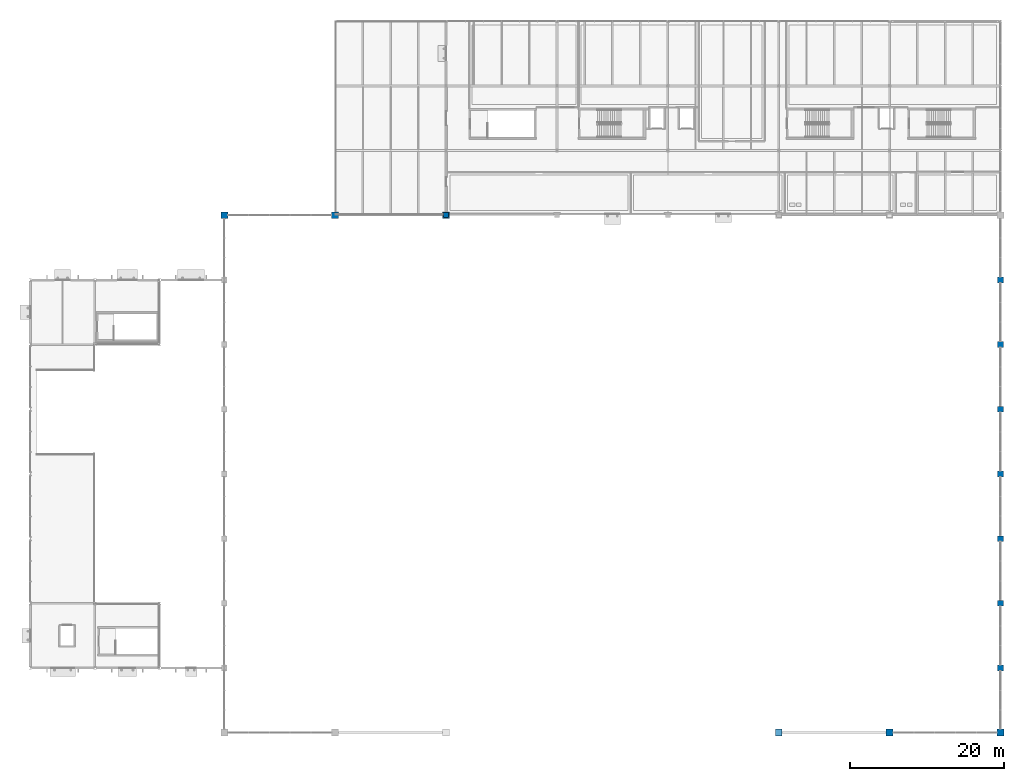
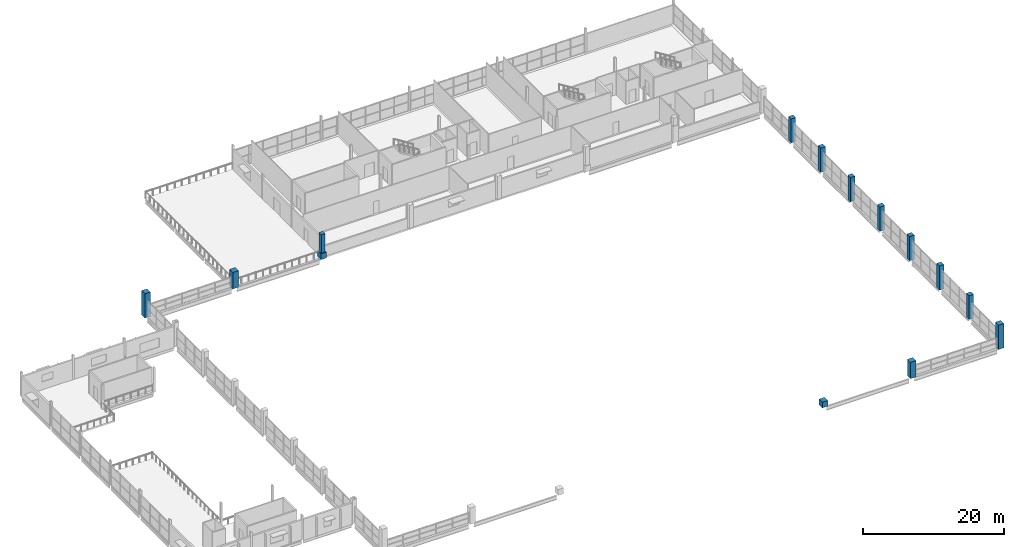
# One storey, part 4 of 68: 14 columns.
"""IFC4 building model written with IfcOpenShell, lengths in metres."""

from ifc_helpers import new_model, si_unit, direction, frame, origin, origin_2d, place, context, subcontext, project, spatial, rectangle, extrude, material, material_profile, profile_set, type_object, element, save


model = new_model("IFC4")

# Units and contexts
model_context = context("Model", 3, precision=1e-05, world=origin(), true_north=direction((0.0, 1.0)))
body_context = subcontext(model_context, "Body", "Model", "MODEL_VIEW")
ifc_project = project(units=[si_unit("LENGTHUNIT", "METRE"), si_unit("AREAUNIT", "SQUARE_METRE"), si_unit("VOLUMEUNIT", "CUBIC_METRE"), si_unit("PLANEANGLEUNIT", "RADIAN"), si_unit("MASSUNIT", "GRAM", prefix="KILO"), si_unit("THERMODYNAMICTEMPERATUREUNIT", "KELVIN")], contexts=[model_context])

# Site, building, storey
site_placement = place(None, origin())
site = spatial("IfcSite", under=ifc_project, at=site_placement, CompositionType="ELEMENT")
building_placement = place(site_placement, origin())
building = spatial("IfcBuilding", under=site, at=building_placement, Name="Nduvali Passage Aquatics Centre", CompositionType="ELEMENT")
storey_placement = place(building_placement, frame((0.0, 0.0, 13.199951171875)))
storey = spatial("IfcBuildingStorey", under=building, at=storey_placement, Name="L03", CompositionType="ELEMENT", Elevation=13.199951171875)

# Columns
ifc_material = material(Name="Concrete C40/50", Category="concrete")
ifc_material_profile_1 = material_profile(ifc_material, rectangle(XDim=0.64990234375, YDim=0.64990234375, at=origin_2d()), Name="RC 650x650")
ifc_profile_set_1 = profile_set([ifc_material_profile_1], Name="Concrete C40/50")
column_type_1 = type_object("IfcColumnType", Name="STR-COL-RC650-EXT", PredefinedType="COLUMN", material=ifc_profile_set_1)
column_1_placement = place(storey_placement, frame((54.0, 92.39990234375, 0.99365234375), z_axis=(0.0, 0.0, 1.0), x_axis=(1.0, 0.0, 0.0)))
element("IfcColumn", 1, at=column_1_placement, inside=storey, type_object=column_type_1, Name="L03 Column C3E (54.0, 92.4)", PredefinedType="COLUMN", context=body_context, shape_type="SweptSolid", body=[
    extrude(rectangle(XDim=0.64990234375, YDim=0.64990234375, at=origin_2d()), origin(), (0.0, 0.0, 1.0), 3.206298828125),
])
ifc_material_profile_2 = material_profile(ifc_material, rectangle(XDim=0.75, YDim=0.75, at=origin_2d()), Name="RC 750x750")
ifc_profile_set_2 = profile_set([ifc_material_profile_2], Name="Concrete C40/50")
column_type_2 = type_object("IfcColumnType", Name="STR-COL-RC750-EXT", PredefinedType="COLUMN", material=ifc_profile_set_2)
column_2_placement = place(storey_placement, frame((126.0, 33.60009765625, 0.0), z_axis=(0.0, 0.0, 1.0), x_axis=(1.0, 0.0, 0.0)))
element("IfcColumn", 2, at=column_2_placement, inside=storey, type_object=column_type_2, Name="L03 Column C2E (126.0, 33.6)", PredefinedType="COLUMN", context=body_context, shape_type="SweptSolid", body=[
    extrude(rectangle(XDim=0.75, YDim=0.75, at=origin_2d()), origin(), (0.0, 0.0, 1.0), 4.1279296875),
])
for number, where, z_axis, x_axis, name in (
    (3, (126.0, 42.0, 0.0), (0.0, 0.0, 1.0), (1.0, 0.0, 0.0), "L03 Column C2E (126.0, 42.0)"),
    (4, (126.0, 50.39990234375, 0.0), (0.0, 0.0, 1.0), (1.0, 0.0, 0.0), "L03 Column C2E (126.0, 50.4)"),
    (5, (126.0, 58.800048828125, 0.0), (0.0, 0.0, 1.0), (1.0, 0.0, 0.0), "L03 Column C2E (126.0, 58.8)"),
    (6, (126.0, 67.199951171875, 0.0), (0.0, 0.0, 1.0), (1.0, 0.0, 0.0), "L03 Column C2E (126.0, 67.2)"),
    (7, (126.0, 75.60009765625, 0.0), (0.0, 0.0, 1.0), (1.0, 0.0, 0.0), "L03 Column C2E (126.0, 75.6)"),
):
    element("IfcColumn", number, at=place(storey_placement, frame(where, z_axis=z_axis, x_axis=x_axis)), inside=storey, type_object=column_type_2, Name=name, PredefinedType="COLUMN", context=body_context, shape_type="SweptSolid", body=[
        extrude(rectangle(XDim=0.75, YDim=0.75, at=origin_2d()), origin(), (0.0, 0.0, 1.0), 4.199951171875),
    ])
column_3_placement = place(storey_placement, frame((126.0, 84.0, 0.0), z_axis=(0.0, 0.0, 1.0), x_axis=(1.0, 0.0, 0.0)))
element("IfcColumn", 8, at=column_3_placement, inside=storey, type_object=column_type_2, Name="L03 Column C2E (126.0, 84.0)", PredefinedType="COLUMN", context=body_context, shape_type="SweptSolid", body=[
    extrude(rectangle(XDim=0.75, YDim=0.75, at=origin_2d()), origin(), (0.0, 0.0, 1.0), 4.1279296875),
])
ifc_material_profile_3 = material_profile(ifc_material, rectangle(XDim=0.89990234375, YDim=0.89990234375, at=origin_2d()), Name="RC 900x900")
ifc_profile_set_3 = profile_set([ifc_material_profile_3], Name="Concrete C40/50")
column_type_3 = type_object("IfcColumnType", Name="STR-COL-RC900-EXT", PredefinedType="COLUMN", material=ifc_profile_set_3)
column_4_placement = place(storey_placement, frame((25.199951171875, 92.39990234375, 0.0), z_axis=(0.0, 0.0, 1.0), x_axis=(1.0, 0.0, 0.0)))
element("IfcColumn", 9, at=column_4_placement, inside=storey, type_object=column_type_3, Name="L03 Column C1E (25.2, 92.4)", PredefinedType="COLUMN", context=body_context, shape_type="SweptSolid", body=[
    extrude(rectangle(XDim=0.89990234375, YDim=0.89990234375, at=origin_2d()), origin(), (0.0, 0.0, 1.0), 4.199951171875),
])
column_5_placement = place(storey_placement, frame((39.60009765625, 92.39990234375, 0.0), z_axis=(0.0, 0.0, 1.0), x_axis=(1.0, 0.0, 0.0)))
element("IfcColumn", 10, at=column_5_placement, inside=storey, type_object=column_type_3, Name="L03 Column C1E (39.6, 92.4)", PredefinedType="COLUMN", context=body_context, shape_type="SweptSolid", body=[
    extrude(rectangle(XDim=0.89990234375, YDim=0.89990234375, at=origin_2d()), origin(), (0.0, 0.0, 1.0), 2.829345703125),
])
for number, where, z_axis, x_axis, name in (
    (11, (54.0, 92.39990234375, 0.0), (0.0, 0.0, 1.0), (1.0, 0.0, 0.0), "L03 Column C1E (54.0, 92.4)"),
    (12, (97.199951171875, 25.199951171875, 0.0), (0.0, 0.0, 1.0), (1.0, 0.0, 0.0), "L03 Column C1E (97.2, 25.2)"),
):
    element("IfcColumn", number, at=place(storey_placement, frame(where, z_axis=z_axis, x_axis=x_axis)), inside=storey, type_object=column_type_3, Name=name, PredefinedType="COLUMN", context=body_context, shape_type="SweptSolid", body=[
        extrude(rectangle(XDim=0.89990234375, YDim=0.89990234375, at=origin_2d()), origin(), (0.0, 0.0, 1.0), 0.99365234375),
    ])
column_6_placement = place(storey_placement, frame((111.60009765625, 25.199951171875, 0.0), z_axis=(0.0, 0.0, 1.0), x_axis=(1.0, 0.0, 0.0)))
element("IfcColumn", 13, at=column_6_placement, inside=storey, type_object=column_type_3, Name="L03 Column C1E (111.6, 25.2)", PredefinedType="COLUMN", context=body_context, shape_type="SweptSolid", body=[
    extrude(rectangle(XDim=0.89990234375, YDim=0.89990234375, at=origin_2d()), origin(), (0.0, 0.0, 1.0), 2.829345703125),
])
column_7_placement = place(storey_placement, frame((126.0, 25.199951171875, 0.0), z_axis=(0.0, 0.0, 1.0), x_axis=(1.0, 0.0, 0.0)))
element("IfcColumn", 14, at=column_7_placement, inside=storey, type_object=column_type_3, Name="L03 Column C1E (126.0, 25.2)", PredefinedType="COLUMN", context=body_context, shape_type="SweptSolid", body=[
    extrude(rectangle(XDim=0.89990234375, YDim=0.89990234375, at=origin_2d()), origin(), (0.0, 0.0, 1.0), 4.199951171875),
])

save(model, "model.ifc")
